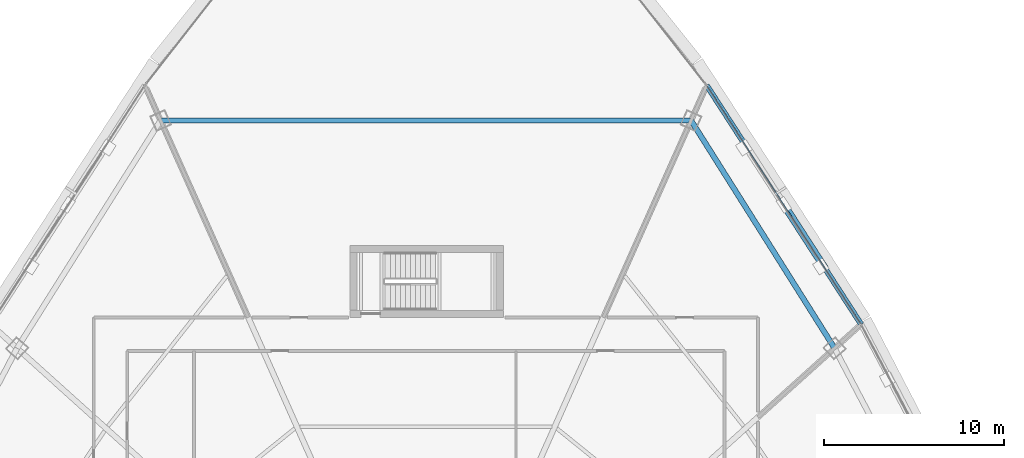
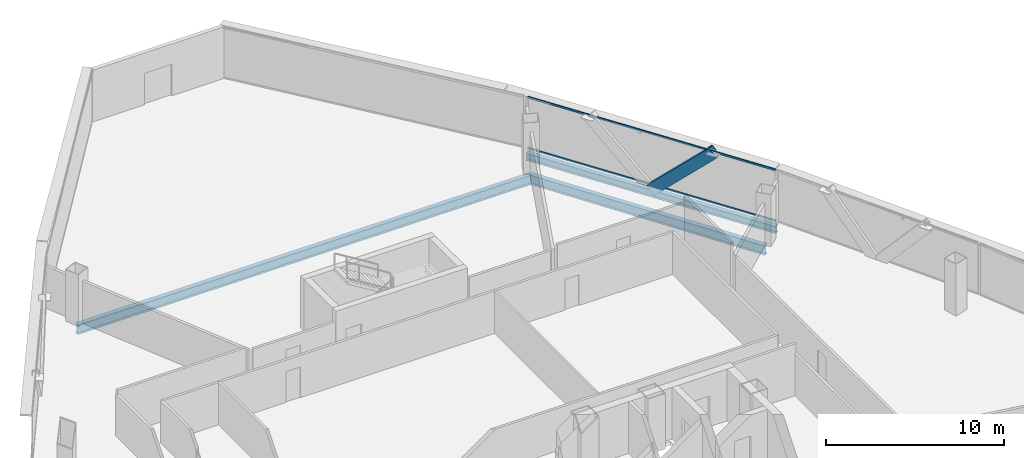
# One storey, part 21 of 37: 3 beams, 3 members, 1 element without a shape of its own.
"""IFC4 building model written with IfcOpenShell, lengths in metres."""

from ifc_helpers import new_model, si_unit, direction, frame, origin, origin_2d, place, context, subcontext, project, spatial, hollow_rectangle, i_section, extrude, source, transform, mapped, material, layer, layer_set, material_profile, profile_set, type_object, element, aggregate, save


model = new_model("IFC4")

# Units and contexts
model_context = context("Model", 3, precision=1e-05, world=origin(), true_north=direction((0.0, 1.0)))
body_context = subcontext(model_context, "Body", "Model", "MODEL_VIEW")
ifc_project = project(units=[si_unit("LENGTHUNIT", "METRE"), si_unit("AREAUNIT", "SQUARE_METRE"), si_unit("VOLUMEUNIT", "CUBIC_METRE"), si_unit("PLANEANGLEUNIT", "RADIAN"), si_unit("MASSUNIT", "GRAM", prefix="KILO"), si_unit("THERMODYNAMICTEMPERATUREUNIT", "KELVIN"), si_unit("POWERUNIT", "WATT")], contexts=[model_context])

# Site, building, storey
site_placement = place(None, origin())
site = spatial("IfcSite", under=ifc_project, at=site_placement, CompositionType="ELEMENT")
building_placement = place(site_placement, origin())
building = spatial("IfcBuilding", under=site, at=building_placement, Name="Yunzhuo Pagoda Commons", CompositionType="ELEMENT")
storey_placement = place(building_placement, frame((0.0, 0.0, 199.9599609375)))
storey = spatial("IfcBuildingStorey", under=building, at=storey_placement, Name="L50", CompositionType="ELEMENT", Elevation=199.9599609375)

# Beams
ifc_material_1 = material(Name="Structural steel Q355B", Category="steel")
ifc_material_profile_1 = material_profile(ifc_material_1, i_section(OverallWidth=0.300048828125, OverallDepth=0.64990234375, WebThickness=0.012939453125, FlangeThickness=0.02197265625, at=origin_2d()), Name="Structural steel Q355B")
ifc_profile_set_1 = profile_set([ifc_material_profile_1], Name="Structural steel Q355B")
beam_type_1 = type_object("IfcBeamType", Name="B-RG2 Beam HN 650x300x13x22", PredefinedType="BEAM", material=ifc_profile_set_1)
shared_shape_1 = source(origin(), body_context, "Body", "SweptSolid", [
    extrude(i_section(OverallWidth=0.300048828125, OverallDepth=0.64990234375, WebThickness=0.012939453125, FlangeThickness=0.02197265625, at=origin_2d()), origin(), (0.0, 0.0, 1.0), 14.916015625),
])
beam_1_placement = place(storey_placement, frame((70.650634765625, 54.0947265625, -0.5849609375), z_axis=(-0.533092374013, 0.846057043449, 0.0), x_axis=(-0.846057043449, -0.533092374013, 0.0)))
element("IfcBeam", 1, at=beam_1_placement, inside=storey, type_object=beam_type_1, Name="L50 column-ring beam 7", PredefinedType="BEAM", context=body_context, shape_type="MappedRepresentation", body=[
    mapped(shared_shape_1, transform((0.0, 0.0, 0.0), scale=1.0)),
])
shared_shape_2 = source(origin(), body_context, "Body", "SweptSolid", [
    extrude(i_section(OverallWidth=0.300048828125, OverallDepth=0.64990234375, WebThickness=0.012939453125, FlangeThickness=0.02197265625, at=origin_2d()), origin(), (0.0, 0.0, 1.0), 29.39794921875),
])
beam_2_placement = place(storey_placement, frame((62.698974609375, 66.714599609375, -0.5849609375), z_axis=(-1.0, 0.0, 0.0), x_axis=(0.0, -1.0, 0.0)))
element("IfcBeam", 2, at=beam_2_placement, inside=storey, type_object=beam_type_1, Name="L50 column-ring beam 8", PredefinedType="BEAM", context=body_context, shape_type="MappedRepresentation", body=[
    mapped(shared_shape_2, transform((0.0, 0.0, 0.0), scale=1.0)),
])
ifc_material_profile_2 = material_profile(ifc_material_1, i_section(OverallWidth=0.300048828125, OverallDepth=0.488037109375, WebThickness=0.010986328125, FlangeThickness=0.01806640625, at=origin_2d()), Name="Structural steel Q355B")
ifc_profile_set_2 = profile_set([ifc_material_profile_2], Name="Structural steel Q355B")
beam_type_2 = type_object("IfcBeamType", Name="B-SP1 Beam HM 488x300x11x18", PredefinedType="BEAM", material=ifc_profile_set_2)
shared_shape_3 = source(origin(), body_context, "Body", "SweptSolid", [
    extrude(i_section(OverallWidth=0.300048828125, OverallDepth=0.488037109375, WebThickness=0.010986328125, FlangeThickness=0.01806640625, at=origin_2d()), origin(), (0.0, 0.0, 1.0), 15.764892578125),
])
beam_3_placement = place(storey_placement, frame((72.124267578125, 55.421630859375, -0.50390625), z_axis=(-0.54290513086, 0.83979403361, 0.0), x_axis=(-0.83979403361, -0.54290513086, 0.0)))
element("IfcBeam", 3, at=beam_3_placement, inside=storey, type_object=beam_type_2, Name="L50 facade edge spandrel beam F2.3", PredefinedType="BEAM", context=body_context, shape_type="MappedRepresentation", body=[
    mapped(shared_shape_3, transform((0.0, 0.0, 0.0), scale=1.0)),
])

# Member
ifc_material_profile_3 = material_profile(ifc_material_1, hollow_rectangle(XDim=0.39990234375, YDim=0.719970703125, WallThickness=0.02392578125, at=origin_2d()), Name="Structural steel Q355B")
ifc_profile_set_3 = profile_set([ifc_material_profile_3], Name="Structural steel Q355B")
member_type_1 = type_object("IfcMemberType", Name="M-DL2 Brace BOX 720x400x24", PredefinedType="BRACE", material=ifc_profile_set_3)
shared_shape_4 = source(origin(), body_context, "Body", "SweptSolid", [
    extrude(hollow_rectangle(XDim=0.39990234375, YDim=0.719970703125, WallThickness=0.02392578125, at=origin_2d()), origin(), (0.0, 0.0, 1.0), 5.474853515625),
])
member_1_placement = place(storey_placement, frame((67.844970703125, 62.041259765625, -0.260009765625), z_axis=(0.390818275062, -0.604555380535, 0.694099321239), x_axis=(0.839801094268, 0.542894208908, 0.0)))
element("IfcMember", 4, at=member_1_placement, inside=storey, type_object=member_type_1, Name="L50 facade diamond brace F2.3L", PredefinedType="BRACE", context=body_context, shape_type="MappedRepresentation", body=[
    mapped(shared_shape_4, transform((0.0, 0.0, 0.0), scale=1.0)),
])

# Curtain wall, members
ifc_material_2 = material(Name="Anodized aluminium 6063-T6", Category="aluminium")
ifc_layer = layer(ifc_material_2, 0.14990234375)
ifc_layer_set = layer_set([ifc_layer], Name="Anodized aluminium 6063-T6")
curtain_wall_type = type_object("IfcCurtainWallType", Name="CW-MID Mid-Zone Ribbon Curtain Wall", PredefinedType="NOTDEFINED", material=ifc_layer_set)
curtain_wall_placement = place(storey_placement, origin())
curtain_wall = element("IfcCurtainWall", 5, at=curtain_wall_placement, inside=storey, type_object=curtain_wall_type, Name="L50 curtain wall CW-L50-F2B4", PredefinedType="NOTDEFINED")
ifc_material_profile_4 = material_profile(ifc_material_2, hollow_rectangle(XDim=0.054931640625, YDim=0.1298828125, WallThickness=0.00341796875, at=origin_2d()), Name="Anodized aluminium 6063-T6")
ifc_profile_set_4 = profile_set([ifc_material_profile_4], Name="Anodized aluminium 6063-T6")
member_type_2 = type_object("IfcMemberType", Name="CW-MID-T Transom RHS 130x55x3.5", PredefinedType="USERDEFINED", material=ifc_profile_set_4)
shared_shape_5 = source(origin(), body_context, "Body", "SweptSolid", [
    extrude(hollow_rectangle(XDim=0.054931640625, YDim=0.1298828125, WallThickness=0.00341796875, at=origin_2d()), origin(), (0.0, 0.0, 1.0), 15.644775390625),
])
member_2_placement = place(storey_placement, frame((72.091796875, 55.471923828125, 0.027587890625), z_axis=(-0.542894057097, 0.839801192407, 0.0), x_axis=(-0.839801192407, -0.542894057097, 0.0)))
member_2 = element("IfcMember", 6, at=member_2_placement, type_object=member_type_2, Name="CW transom 1.1", ObjectType="TRANSOM", PredefinedType="USERDEFINED", context=body_context, shape_type="MappedRepresentation", body=[
    mapped(shared_shape_5, transform((0.0, 0.0, 0.0), scale=1.0)),
])
member_3_placement = place(storey_placement, frame((72.091796875, 55.471923828125, 3.512451171875), z_axis=(-0.542894057097, 0.839801192407, 0.0), x_axis=(-0.839801192407, -0.542894057097, 0.0)))
member_3 = element("IfcMember", 7, at=member_3_placement, type_object=member_type_2, Name="CW transom 1.2", ObjectType="TRANSOM", PredefinedType="USERDEFINED", context=body_context, shape_type="MappedRepresentation", body=[
    mapped(shared_shape_5, transform((0.0, 0.0, 0.0), scale=1.0)),
])
aggregate(curtain_wall, [member_2, member_3])

save(model, "model.ifc")
